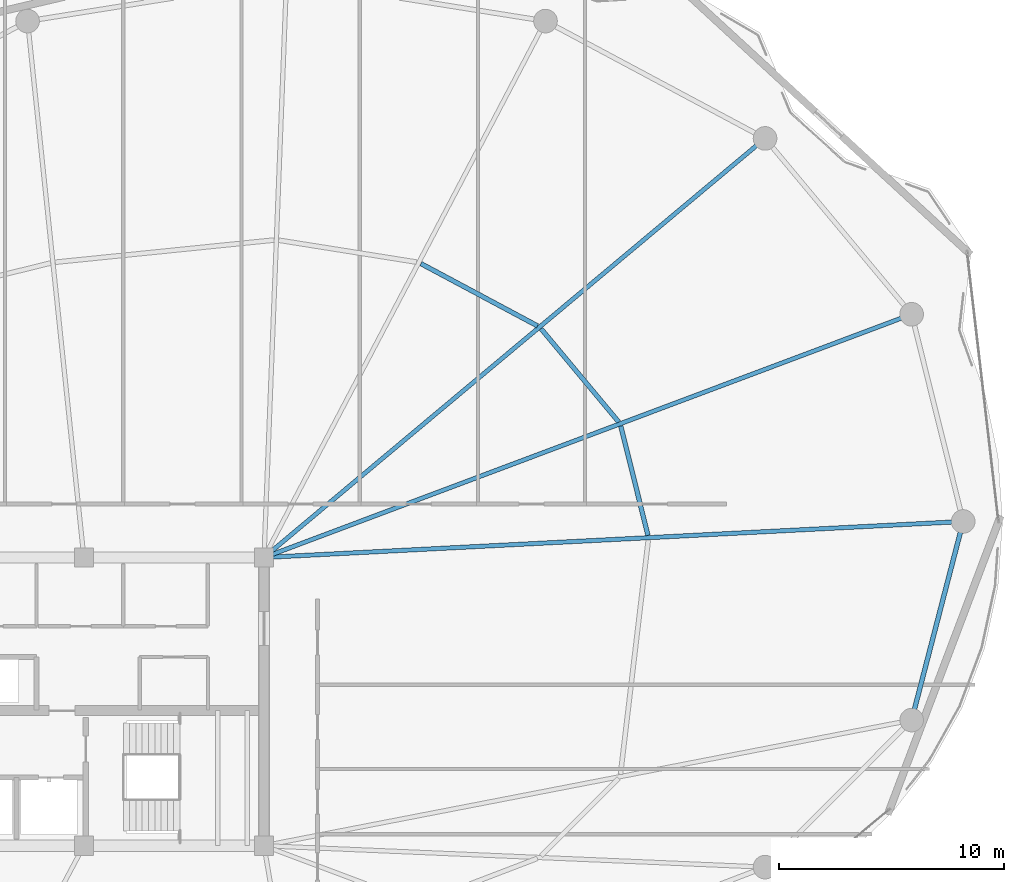
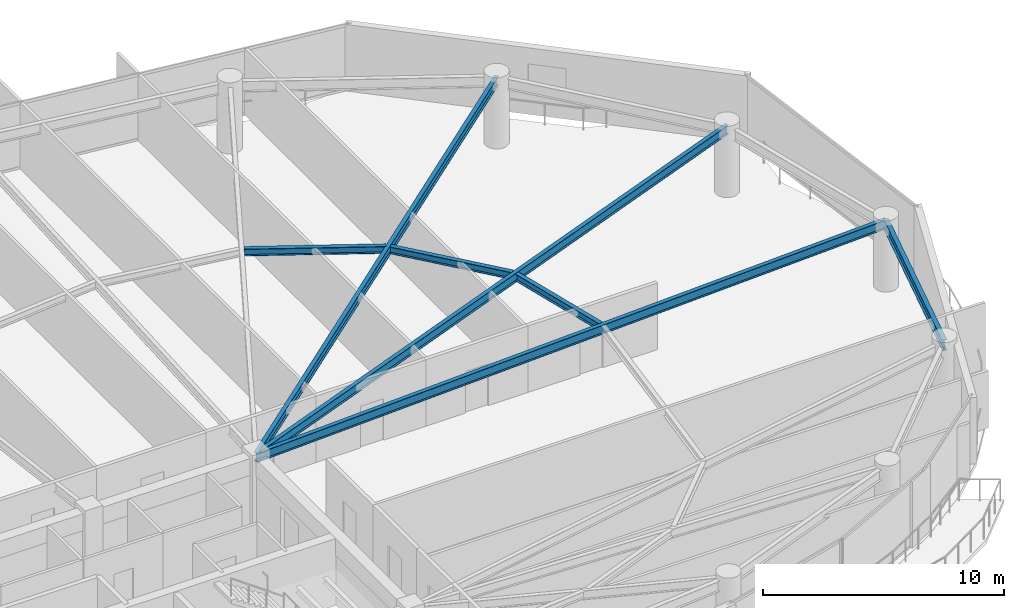
# One storey, part 15 of 31: 7 beams.
"""IFC4 building model written with IfcOpenShell, lengths in metres."""

from ifc_helpers import new_model, si_unit, direction, frame, origin, origin_2d, place, context, subcontext, project, spatial, i_section, extrude, material, material_profile, profile_set, type_object, element, save


model = new_model("IFC4")

# Units and contexts
model_context = context("Model", 3, precision=1e-05, world=origin(), true_north=direction((0.0, 1.0)))
body_context = subcontext(model_context, "Body", "Model", "MODEL_VIEW")
ifc_project = project(units=[si_unit("LENGTHUNIT", "METRE"), si_unit("AREAUNIT", "SQUARE_METRE"), si_unit("VOLUMEUNIT", "CUBIC_METRE"), si_unit("PLANEANGLEUNIT", "RADIAN"), si_unit("MASSUNIT", "GRAM", prefix="KILO")], contexts=[model_context])

# Site, building, storey
site_placement = place(None, origin())
site = spatial("IfcSite", under=ifc_project, at=site_placement, CompositionType="ELEMENT")
building_placement = place(site_placement, origin())
building = spatial("IfcBuilding", under=site, at=building_placement, Name="Kazevale Care Tower and Concert Hall", CompositionType="ELEMENT")
storey_placement = place(building_placement, frame((0.0, 0.0, 238.800048828125)))
storey = spatial("IfcBuildingStorey", under=building, at=storey_placement, Name="L63", CompositionType="ELEMENT", Elevation=238.800048828125)

# Beams
ifc_material = material(Name="Steel ASTM A572 Gr 50", Category="steel")
ifc_material_profile_1 = material_profile(ifc_material, i_section(OverallWidth=0.19091796875, OverallDepth=0.4599609375, WebThickness=0.010009765625, FlangeThickness=0.01611328125, at=origin_2d()), Name="W460x82")
ifc_profile_set_1 = profile_set([ifc_material_profile_1], Name="Steel ASTM A572 Gr 50")
beam_type_1 = type_object("IfcBeamType", Name="Radial Floor Beam W460x82", PredefinedType="BEAM", material=ifc_profile_set_1)
beam_1_placement = place(storey_placement, frame((44.0, 36.39990234375, 3.1298828125), z_axis=(0.998674821251, 0.051464564506, 0.0), x_axis=(-0.051464564506, 0.998674821251, 0.0)))
element("IfcBeam", 1, at=beam_1_placement, inside=storey, type_object=beam_type_1, Name="beam:L63:rad:01", PredefinedType="BEAM", context=body_context, shape_type="SweptSolid", body=[
    extrude(i_section(OverallWidth=0.19091796875, OverallDepth=0.4599609375, WebThickness=0.010009765625, FlangeThickness=0.01611328125, at=origin_2d()), origin(), (0.0, 0.0, 1.0), 31.09130859375),
])
beam_2_placement = place(storey_placement, frame((44.0, 36.39990234375, 3.1298828125), z_axis=(0.936168070124, 0.351552762015, 0.0), x_axis=(-0.351552762015, 0.936168070124, 0.0)))
element("IfcBeam", 2, at=beam_2_placement, inside=storey, type_object=beam_type_1, Name="beam:L63:rad:02", PredefinedType="BEAM", context=body_context, shape_type="SweptSolid", body=[
    extrude(i_section(OverallWidth=0.19091796875, OverallDepth=0.4599609375, WebThickness=0.010009765625, FlangeThickness=0.01611328125, at=origin_2d()), origin(), (0.0, 0.0, 1.0), 30.720947265625),
])
beam_3_placement = place(storey_placement, frame((44.0, 36.39990234375, 3.1298828125), z_axis=(0.767059624015, 0.64157582031, 0.0), x_axis=(-0.64157582031, 0.767059624015, 0.0)))
element("IfcBeam", 3, at=beam_3_placement, inside=storey, type_object=beam_type_1, Name="beam:L63:rad:03", PredefinedType="BEAM", context=body_context, shape_type="SweptSolid", body=[
    extrude(i_section(OverallWidth=0.19091796875, OverallDepth=0.4599609375, WebThickness=0.010009765625, FlangeThickness=0.01611328125, at=origin_2d()), origin(), (0.0, 0.0, 1.0), 29.0068359375),
])
ifc_material_profile_2 = material_profile(ifc_material, i_section(OverallWidth=0.205078125, OverallDepth=0.35400390625, WebThickness=0.009521484375, FlangeThickness=0.016845703125, at=origin_2d()), Name="W360x79")
ifc_profile_set_2 = profile_set([ifc_material_profile_2], Name="Steel ASTM A572 Gr 50")
beam_type_2 = type_object("IfcBeamType", Name="Secondary Floor Joist W360x79", PredefinedType="JOIST", material=ifc_profile_set_2)
beam_4_placement = place(storey_placement, frame((61.052001953125, 37.382080078125, 3.182861328125), z_axis=(-0.241594204931, 0.970377369967, 0.0), x_axis=(-0.970377369967, -0.241594204931, 0.0)))
element("IfcBeam", 4, at=beam_4_placement, inside=storey, type_object=beam_type_2, Name="beam:L63:joist:01", PredefinedType="JOIST", context=body_context, shape_type="SweptSolid", body=[
    extrude(i_section(OverallWidth=0.205078125, OverallDepth=0.35400390625, WebThickness=0.009521484375, FlangeThickness=0.016845703125, at=origin_2d()), origin(), (0.0, 0.0, 1.0), 5.004150390625),
])
beam_5_placement = place(storey_placement, frame((59.7509765625, 42.4208984375, 3.182861328125), z_axis=(-0.640295940788, 0.768128314939, 0.0), x_axis=(-0.768128314939, -0.640295940788, 0.0)))
element("IfcBeam", 5, at=beam_5_placement, inside=storey, type_object=beam_type_2, Name="beam:L63:joist:02", PredefinedType="JOIST", context=body_context, shape_type="SweptSolid", body=[
    extrude(i_section(OverallWidth=0.205078125, OverallDepth=0.35400390625, WebThickness=0.009521484375, FlangeThickness=0.016845703125, at=origin_2d()), origin(), (0.0, 0.0, 1.0), 5.3818359375),
])
beam_6_placement = place(storey_placement, frame((56.14501953125, 46.68505859375, 3.182861328125), z_axis=(-0.881943890935, 0.471354403016, 0.0), x_axis=(-0.471354403016, -0.881943890935, 0.0)))
element("IfcBeam", 6, at=beam_6_placement, inside=storey, type_object=beam_type_2, Name="beam:L63:joist:03", PredefinedType="JOIST", context=body_context, shape_type="SweptSolid", body=[
    extrude(i_section(OverallWidth=0.205078125, OverallDepth=0.35400390625, WebThickness=0.009521484375, FlangeThickness=0.016845703125, at=origin_2d()), origin(), (0.0, 0.0, 1.0), 5.869873046875),
])
ifc_material_profile_3 = material_profile(ifc_material, i_section(OverallWidth=0.208984375, OverallDepth=0.532958984375, WebThickness=0.01025390625, FlangeThickness=0.015625, at=origin_2d()), Name="W530x92")
ifc_profile_set_3 = profile_set([ifc_material_profile_3], Name="Steel ASTM A572 Gr 50")
beam_type_3 = type_object("IfcBeamType", Name="Upper Ring Beam W530x92", PredefinedType="BEAM", material=ifc_profile_set_3)
beam_7_placement = place(storey_placement, frame((72.760009765625, 29.179931640625, 3.093505859375), z_axis=(0.251307095899, 0.96790740443, 0.0), x_axis=(-0.96790740443, 0.251307095899, 0.0)))
element("IfcBeam", 7, at=beam_7_placement, inside=storey, type_object=beam_type_3, Name="beam:L63:ring:16", PredefinedType="BEAM", context=body_context, shape_type="SweptSolid", body=[
    extrude(i_section(OverallWidth=0.208984375, OverallDepth=0.532958984375, WebThickness=0.01025390625, FlangeThickness=0.015625, at=origin_2d()), origin(), (0.0, 0.0, 1.0), 9.112548828125),
])

save(model, "model.ifc")
